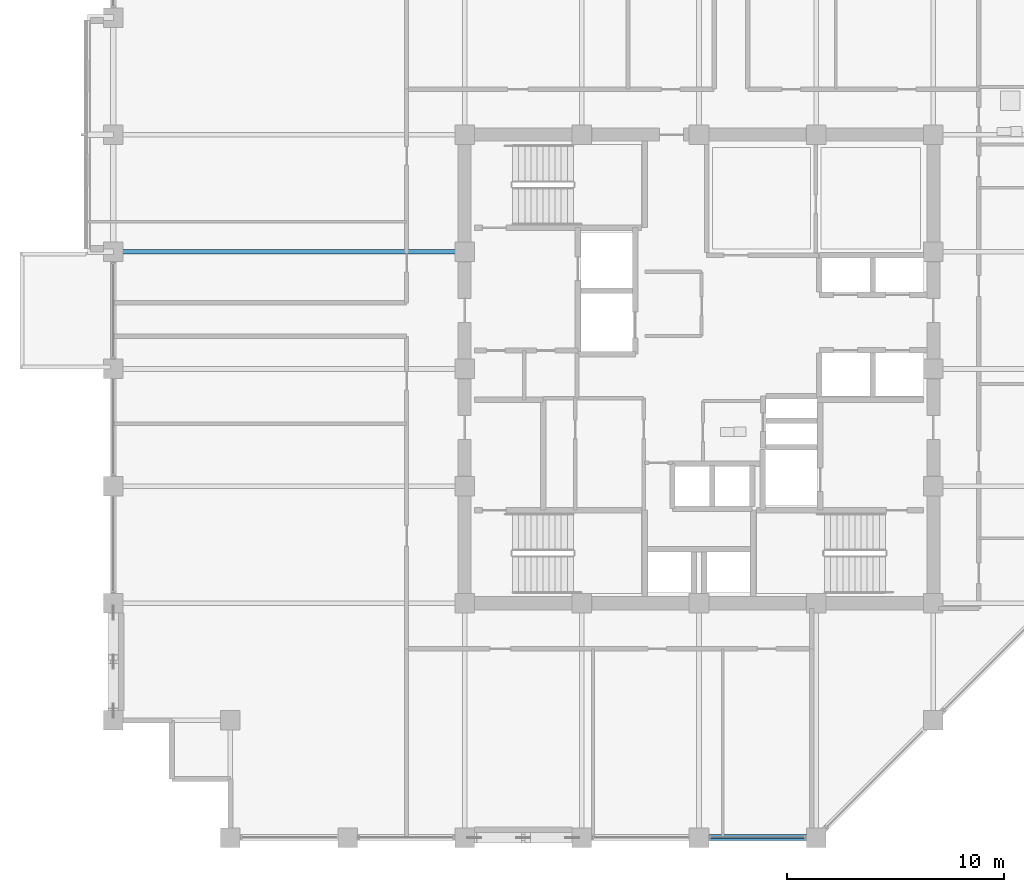
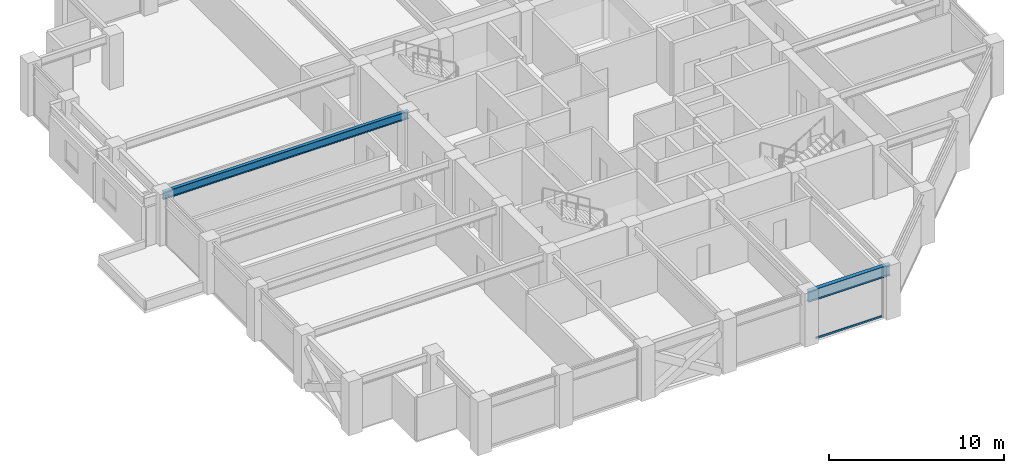
# One storey, part 8 of 28: 2 beams, 1 member, 1 element without a shape of its own.
"""IFC4 building model written with IfcOpenShell, lengths in metres."""

from ifc_helpers import new_model, si_unit, direction, frame, origin, origin_2d, place, context, subcontext, project, spatial, hollow_rectangle, i_section, extrude, material, layer, layer_set, material_profile, profile_set, type_object, element, aggregate, save


model = new_model("IFC4")

# Units and contexts
model_context = context("Model", 3, precision=1e-05, world=origin(), true_north=direction((0.0, 1.0)))
body_context = subcontext(model_context, "Body", "Model", "MODEL_VIEW")
ifc_project = project(units=[si_unit("LENGTHUNIT", "METRE"), si_unit("AREAUNIT", "SQUARE_METRE"), si_unit("VOLUMEUNIT", "CUBIC_METRE"), si_unit("PLANEANGLEUNIT", "RADIAN"), si_unit("MASSUNIT", "GRAM", prefix="KILO")], contexts=[model_context])

# Site, building, storey
site_placement = place(None, origin())
site = spatial("IfcSite", under=ifc_project, at=site_placement, CompositionType="ELEMENT")
building_placement = place(site_placement, origin())
building = spatial("IfcBuilding", under=site, at=building_placement, Name="Surkhivell Harbour Commons", CompositionType="ELEMENT")
storey_placement = place(building_placement, frame((0.0, 0.0, 182.25)))
storey = spatial("IfcBuildingStorey", under=building, at=storey_placement, Name="L47", CompositionType="ELEMENT", Elevation=182.25)

# Beams
ifc_material_1 = material(Name="Steel S355", Category="steel")
ifc_material_profile_1 = material_profile(ifc_material_1, i_section(OverallWidth=0.2119140625, OverallDepth=0.5439453125, WebThickness=0.0126953125, FlangeThickness=0.021240234375, at=origin_2d()), Name="UB533x210x122")
ifc_profile_set_1 = profile_set([ifc_material_profile_1], Name="Steel S355")
beam_type_1 = type_object("IfcBeamType", Name="BM-GRD-533A", PredefinedType="BEAM", material=ifc_profile_set_1)
beam_1_placement = place(storey_placement, frame((-27.0, 5.39990234375, 3.298095703125), z_axis=(1.0, 0.0, 0.0), x_axis=(0.0, 1.0, 0.0)))
element("IfcBeam", 1, at=beam_1_placement, inside=storey, type_object=beam_type_1, Name="L47 Floor Girder (-27.0,5.4)", PredefinedType="BEAM", context=body_context, shape_type="SweptSolid", body=[
    extrude(i_section(OverallWidth=0.2119140625, OverallDepth=0.5439453125, WebThickness=0.0126953125, FlangeThickness=0.021240234375, at=origin_2d()), origin(), (0.0, 0.0, 1.0), 16.199951171875),
])
ifc_material_profile_2 = material_profile(ifc_material_1, i_section(OverallWidth=0.26806640625, OverallDepth=0.77001953125, WebThickness=0.015625, FlangeThickness=0.025390625, at=origin_2d()), Name="UB762x267x197")
ifc_profile_set_2 = profile_set([ifc_material_profile_2], Name="Steel S355")
beam_type_2 = type_object("IfcBeamType", Name="BM-SPN-762", PredefinedType="SPANDREL", material=ifc_profile_set_2)
beam_2_placement = place(storey_placement, frame((0.0, -21.60009765625, 3.18505859375), z_axis=(1.0, 0.0, 0.0), x_axis=(0.0, 1.0, 0.0)))
element("IfcBeam", 2, at=beam_2_placement, inside=storey, type_object=beam_type_2, Name="L47 Tube Spandrel (-0.0,-21.6)", PredefinedType="SPANDREL", context=body_context, shape_type="SweptSolid", body=[
    extrude(i_section(OverallWidth=0.26806640625, OverallDepth=0.77001953125, WebThickness=0.015625, FlangeThickness=0.025390625, at=origin_2d()), origin(), (0.0, 0.0, 1.0), 5.39990234375),
])

# Curtain wall, member
ifc_material_2 = material(Name="Anodised pale-metal aluminium and insulated glazing", Category="aluminium")
ifc_layer = layer(ifc_material_2, 0.18994140625)
ifc_layer_set = layer_set([ifc_layer], Name="Anodised pale-metal aluminium and insulated glazing")
curtain_wall_type = type_object("IfcCurtainWallType", Name="CW-SYS-Z3", PredefinedType="NOTDEFINED", material=ifc_layer_set)
curtain_wall_placement = place(storey_placement, origin())
curtain_wall = element("IfcCurtainWall", 3, at=curtain_wall_placement, inside=storey, type_object=curtain_wall_type, Name="L47 Curtain Wall CW-L47-E00S2", PredefinedType="NOTDEFINED")
ifc_material_3 = material(Name="Champagne anodised aluminium alloy 6063-T6", Category="aluminium")
ifc_material_profile_3 = material_profile(ifc_material_3, hollow_rectangle(XDim=0.070068359375, YDim=0.1298828125, WallThickness=0.00341796875, at=origin_2d()), Name="ALU-TRAN-70x130")
ifc_profile_set_3 = profile_set([ifc_material_profile_3], Name="Champagne anodised aluminium alloy 6063-T6")
member_type = type_object("IfcMemberType", Name="CWT-130", PredefinedType="USERDEFINED", material=ifc_profile_set_3)
member_placement = place(storey_placement, frame((0.527099609375, -21.60009765625, 0.06494140625), z_axis=(1.0, 0.0, 0.0), x_axis=(0.0, 1.0, 0.0)))
member = element("IfcMember", 4, at=member_placement, type_object=member_type, Name="CW-Z3 transom 2.1", ObjectType="TRANSOM", PredefinedType="USERDEFINED", context=body_context, shape_type="SweptSolid", body=[
    extrude(hollow_rectangle(XDim=0.070068359375, YDim=0.1298828125, WallThickness=0.00341796875, at=origin_2d()), origin(), (0.0, 0.0, 1.0), 4.345947265625),
])
aggregate(curtain_wall, [member])

save(model, "model.ifc")
